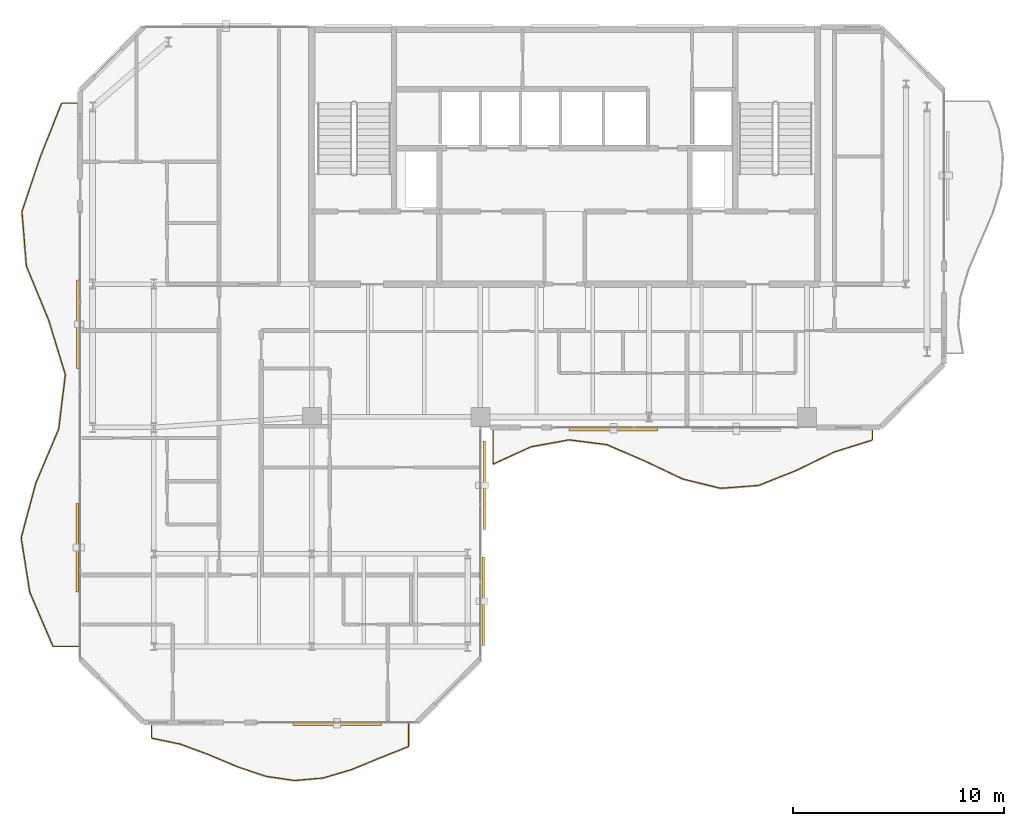
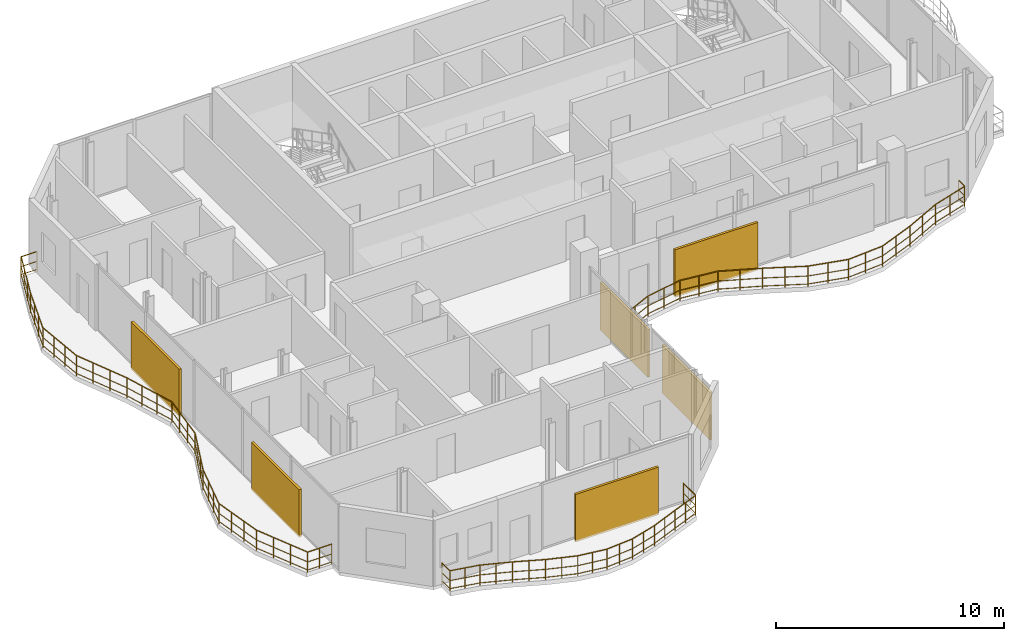
# One storey, part 21 of 22: 6 shading devices, 3 railings.
"""IFC4 building model written with IfcOpenShell, lengths in metres."""

import ifcopenshell
import ifcopenshell.guid

model = None  # the IFC model being written
_history = None  # IfcOwnerHistory: only IFC2X3 demands one
_inside = {}  # id of a spatial element -> (the spatial element, [elements in it])
_under = {}  # id of a project, library or spatial element -> (it, [spatial elements below it])
_declared = {}  # id of a project -> (the project, [libraries it declares])
_typed = {}  # id of a type object -> (the type object, [elements of that type])
_made_of = {}  # id of a material, layer set ... -> (it, [elements and type objects made of it])


def new_model(schema):
    """Start an empty IFC model of exactly this schema.

    Asked for "IFC4X3", IfcOpenShell would pick the latest addendum, in which some entities
    have other attributes; the version numbers below select the first issue.
    IFC2X3 requires an IfcOwnerHistory on every rooted entity: one is made here for all.
    """
    global model, _history
    if schema == "IFC4X3":
        model = ifcopenshell.file(schema_version=(4, 3, 0, 0))
    else:
        model = ifcopenshell.file(schema=schema)
    _inside.clear()
    _under.clear()
    _declared.clear()
    _typed.clear()
    _made_of.clear()
    _history = None
    if model.schema == "IFC2X3":
        org = make("IfcOrganization", Name="unknown")
        user = make(
            "IfcPersonAndOrganization",
            ThePerson=make("IfcPerson", FamilyName="unknown"),
            TheOrganization=org,
        )
        app = make(
            "IfcApplication",
            ApplicationDeveloper=org,
            Version="unknown",
            ApplicationFullName="unknown",
            ApplicationIdentifier="unknown",
        )
        _history = make(
            "IfcOwnerHistory",
            OwningUser=user,
            OwningApplication=app,
            ChangeAction="ADDED",
            CreationDate=0,
        )
    return model


def make(cls, **values):
    """One entity of the class cls with the attributes given. An attribute that is None is left unset."""
    return model.create_entity(
        cls, **{name: value for name, value in values.items() if value is not None}
    )


def rooted(cls, **values):
    """An entity with a GlobalId (a new one), such as an element, a storey or a relation."""
    return make(cls, GlobalId=ifcopenshell.guid.new(), OwnerHistory=_history, **values)


def si_unit(unit_type, name, prefix=None):
    """IfcSIUnit, for example si_unit("LENGTHUNIT", "METRE", prefix="MILLI")."""
    return make("IfcSIUnit", UnitType=unit_type, Prefix=prefix, Name=name)


def assignment(units):
    """IfcUnitAssignment: the units of a project."""
    return None if units is None else make("IfcUnitAssignment", Units=units)


def point(xyz):
    """IfcCartesianPoint."""
    return None if xyz is None else make("IfcCartesianPoint", Coordinates=xyz)


def direction(xyz):
    """IfcDirection."""
    return None if xyz is None else make("IfcDirection", DirectionRatios=xyz)


def frame(location, z_axis=None, x_axis=None):
    """IfcAxis2Placement3D, a coordinate frame: its origin and axes. An axis left out is left unset."""
    return make(
        "IfcAxis2Placement3D",
        Location=point(location),
        Axis=direction(z_axis),
        RefDirection=direction(x_axis),
    )


def frame_2d(location, x_axis=None):
    """IfcAxis2Placement2D, a coordinate frame in the plane: its origin and x axis."""
    return make(
        "IfcAxis2Placement2D", Location=point(location), RefDirection=direction(x_axis)
    )


def origin():
    """The frame at (0, 0, 0) with its axes left unset."""
    return frame((0.0, 0.0, 0.0))


def origin_2d():
    """The frame at (0, 0) in the plane with its x axis left unset."""
    return frame_2d((0.0, 0.0))


def place(relative_to, where):
    """IfcLocalPlacement: puts the frame where relative to a parent placement (None: the world)."""
    return make(
        "IfcLocalPlacement", PlacementRelTo=relative_to, RelativePlacement=where
    )


def context(
    kind, dimensions, precision=None, world=None, true_north=None, identifier=None
):
    """IfcGeometricRepresentationContext, for example the 3D "Model" context."""
    return make(
        "IfcGeometricRepresentationContext",
        ContextIdentifier=identifier,
        ContextType=kind,
        CoordinateSpaceDimension=dimensions,
        Precision=precision,
        WorldCoordinateSystem=world,
        TrueNorth=true_north,
    )


def subcontext(parent, identifier, kind, view, scale=None):
    """IfcGeometricRepresentationSubContext, for example "Body" below "Model"."""
    return make(
        "IfcGeometricRepresentationSubContext",
        ContextIdentifier=identifier,
        ContextType=kind,
        ParentContext=parent,
        TargetScale=scale,
        TargetView=view,
    )


def project(units=None, contexts=None):
    """IfcProject with its units and contexts."""
    return rooted(
        "IfcProject",
        Name="project",
        RepresentationContexts=contexts,
        UnitsInContext=assignment(units),
    )


def spatial(cls, under=None, at=None, **own):
    """A site, building, storey or space (cls), placed at a placement, below another one or the project."""
    s = rooted(cls, ObjectPlacement=at, **own)
    if under is not None:
        _under.setdefault(under.id(), (under, []))[1].append(s)
    return s


def profile(cls, at=None, kind="AREA", **sizes):
    """A parametric profile (cls). Its sizes go by their IFC names, for example OverallWidth=200.0."""
    return make(cls, ProfileType=kind, Position=at, **sizes)


def rectangle(**sizes):
    """IfcRectangleProfileDef."""
    return profile("IfcRectangleProfileDef", **sizes)


def circle(**sizes):
    """IfcCircleProfileDef."""
    return profile("IfcCircleProfileDef", **sizes)


def extrude(swept, where, along, depth):
    """IfcExtrudedAreaSolid: the profile swept, set in the frame where, extruded along a direction by depth."""
    return make(
        "IfcExtrudedAreaSolid",
        SweptArea=swept,
        Position=where,
        ExtrudedDirection=direction(along),
        Depth=depth,
    )


def shape(context_of_items, identifier, shape_type, items):
    """IfcShapeRepresentation: the items that make up one representation, for example the "Body"."""
    return make(
        "IfcShapeRepresentation",
        ContextOfItems=context_of_items,
        RepresentationIdentifier=identifier,
        RepresentationType=shape_type,
        Items=items,
    )


def material(Name=None, Category=None):
    """IfcMaterial."""
    return make("IfcMaterial", Name=Name, Category=Category)


def made_of(thing, what):
    """Note that an element or type object is made of a material, layer set ...; save() writes the relation."""
    if what is not None:
        _made_of.setdefault(what.id(), (what, []))[1].append(thing)
    return thing


def type_object(cls, material=None, **own):
    """A type object (cls), such as IfcWallType, which elements share."""
    return made_of(rooted(cls, **own), material)


def element(
    cls,
    number,
    at=None,
    inside=None,
    cuts=None,
    type_object=None,
    material=None,
    context=None,
    identifier="Body",
    shape_type=None,
    held_by="IfcProductDefinitionShape",
    body=None,
    shapes=None,
    **own,
):
    """One element of the class cls, such as IfcWall. Its Tag is "e" and its number.

    at: its placement. inside: the storey or other place that contains it. cuts: it is an
    opening in that element (IfcRelVoidsElement). A single representation is given by context,
    identifier, shape_type and body (its items); several are given by shapes. held_by: the class
    of the entity that holds the representations. save() writes the other relations.
    """
    e = rooted(cls, Tag="e%d" % number, ObjectPlacement=at, **own)
    if body is not None:
        shapes = [shape(context, identifier, shape_type, body)]
    if shapes is not None:
        e.Representation = make(held_by, Representations=shapes)
    if inside is not None:
        _inside.setdefault(inside.id(), (inside, []))[1].append(e)
    if cuts is not None:
        rooted(
            "IfcRelVoidsElement", RelatingBuildingElement=cuts, RelatedOpeningElement=e
        )
    if type_object is not None:
        _typed.setdefault(type_object.id(), (type_object, []))[1].append(e)
    return made_of(e, material)


def aggregate(whole, parts):
    """IfcRelAggregates: a whole, such as a stair, and the parts it consists of."""
    return rooted("IfcRelAggregates", RelatingObject=whole, RelatedObjects=parts)


def save(model, path):
    """Write the relations noted so far, then the file.

    IfcRelAggregates (storeys below a building ...), IfcRelContainedInSpatialStructure (elements
    in a storey), IfcRelDefinesByType, IfcRelAssociatesMaterial and IfcRelDeclares: one each for
    every whole, place, type object, material and project.
    """
    for whole, parts in _under.values():
        aggregate(whole, parts)
    for where, things in _inside.values():
        rooted(
            "IfcRelContainedInSpatialStructure",
            RelatedElements=things,
            RelatingStructure=where,
        )
    for kind, things in _typed.values():
        rooted("IfcRelDefinesByType", RelatedObjects=things, RelatingType=kind)
    for what, things in _made_of.values():
        rooted("IfcRelAssociatesMaterial", RelatedObjects=things, RelatingMaterial=what)
    for by, libraries in _declared.values():
        rooted("IfcRelDeclares", RelatingContext=by, RelatedDefinitions=libraries)
    model.write(path)


model = new_model("IFC4")

# Units and contexts
model_context = context("Model", 3, precision=1e-05, world=origin(), true_north=direction((0.0, 1.0)))
body_context = subcontext(model_context, "Body", "Model", "MODEL_VIEW")
ifc_project = project(units=[si_unit("LENGTHUNIT", "METRE"), si_unit("AREAUNIT", "SQUARE_METRE"), si_unit("VOLUMEUNIT", "CUBIC_METRE"), si_unit("PLANEANGLEUNIT", "RADIAN"), si_unit("MASSUNIT", "GRAM", prefix="KILO")], contexts=[model_context])

# Site, building, storey
site_placement = place(None, origin())
site = spatial("IfcSite", under=ifc_project, at=site_placement, CompositionType="ELEMENT")
building_placement = place(site_placement, origin())
building = spatial("IfcBuilding", under=site, at=building_placement, Name="Catumbela Crestline Tower", CompositionType="ELEMENT")
storey_placement = place(building_placement, frame((0.0, 0.0, 218.4)))
storey = spatial("IfcBuildingStorey", under=building, at=storey_placement, Name="L56", CompositionType="ELEMENT", Elevation=218.4)

# Railings
ifc_material_1 = material(Name="Stainless steel EN 1.4401", Category="steel")
railing_type = type_object("IfcRailingType", Name="RB-1100", PredefinedType="BALUSTRADE", material=ifc_material_1)
railing_1_placement = place(storey_placement, frame((24.6, 23.94, 0.0)))
element("IfcRailing", 1, at=railing_1_placement, inside=storey, type_object=railing_type, Name="L56 Private Wave Balcony Balustrade 1", PredefinedType="BALUSTRADE", context=body_context, shape_type="SweptSolid", body=[
    extrude(circle(Radius=0.024, at=origin_2d()), frame((0.0, 0.0, 1.076), z_axis=(0.0, -1.0, 0.0), x_axis=(1.0, 0.0, 0.0)), (0.0, 0.0, 1.0), 1.68),
    extrude(circle(Radius=0.0156, at=origin_2d()), frame((0.0, 0.0, 0.55), z_axis=(0.0, -1.0, 0.0), x_axis=(1.0, 0.0, 0.0)), (0.0, 0.0, 1.0), 1.68),
    extrude(circle(Radius=0.0156, at=origin_2d()), frame((0.0, 0.0, 0.12), z_axis=(0.0, -1.0, 0.0), x_axis=(1.0, 0.0, 0.0)), (0.0, 0.0, 1.0), 1.68),
    extrude(circle(Radius=0.024, at=origin_2d()), frame((0.0, -1.68, 1.076), z_axis=(0.909733657009, 0.415192332907, 0.0), x_axis=(-0.415192332907, 0.909733657009, 0.0)), (0.0, 0.0, 1.0), 1.9786),
    extrude(circle(Radius=0.0156, at=origin_2d()), frame((0.0, -1.68, 0.55), z_axis=(0.909733657009, 0.415192332907, 0.0), x_axis=(-0.415192332907, 0.909733657009, 0.0)), (0.0, 0.0, 1.0), 1.9786),
    extrude(circle(Radius=0.0156, at=origin_2d()), frame((0.0, -1.68, 0.12), z_axis=(0.909733657009, 0.415192332907, 0.0), x_axis=(-0.415192332907, 0.909733657009, 0.0)), (0.0, 0.0, 1.0), 1.9786),
    extrude(circle(Radius=0.024, at=origin_2d()), frame((1.8, -0.8585, 1.076), z_axis=(0.983751645667, 0.179534675334, 0.0), x_axis=(-0.179534675334, 0.983751645667, 0.0)), (0.0, 0.0, 1.0), 1.8297),
    extrude(circle(Radius=0.0156, at=origin_2d()), frame((1.8, -0.8585, 0.55), z_axis=(0.983751645667, 0.179534675334, 0.0), x_axis=(-0.179534675334, 0.983751645667, 0.0)), (0.0, 0.0, 1.0), 1.8297),
    extrude(circle(Radius=0.0156, at=origin_2d()), frame((1.8, -0.8585, 0.12), z_axis=(0.983751645667, 0.179534675334, 0.0), x_axis=(-0.179534675334, 0.983751645667, 0.0)), (0.0, 0.0, 1.0), 1.8297),
    extrude(circle(Radius=0.024, at=origin_2d()), frame((3.6, -0.53, 1.076), z_axis=(0.992250714481, -0.124251839469, 0.0), x_axis=(0.124251839469, 0.992250714481, 0.0)), (0.0, 0.0, 1.0), 1.8141),
    extrude(circle(Radius=0.0156, at=origin_2d()), frame((3.6, -0.53, 0.55), z_axis=(0.992250714481, -0.124251839469, 0.0), x_axis=(0.124251839469, 0.992250714481, 0.0)), (0.0, 0.0, 1.0), 1.8141),
    extrude(circle(Radius=0.0156, at=origin_2d()), frame((3.6, -0.53, 0.12), z_axis=(0.992250714481, -0.124251839469, 0.0), x_axis=(0.124251839469, 0.992250714481, 0.0)), (0.0, 0.0, 1.0), 1.8141),
    extrude(circle(Radius=0.024, at=origin_2d()), frame((5.4, -0.7554, 1.076), z_axis=(0.91863214227, -0.395113891414, 0.0), x_axis=(0.395113891414, 0.91863214227, 0.0)), (0.0, 0.0, 1.0), 1.9594),
    extrude(circle(Radius=0.0156, at=origin_2d()), frame((5.4, -0.7554, 0.55), z_axis=(0.91863214227, -0.395113891414, 0.0), x_axis=(0.395113891414, 0.91863214227, 0.0)), (0.0, 0.0, 1.0), 1.9594),
    extrude(circle(Radius=0.0156, at=origin_2d()), frame((5.4, -0.7554, 0.12), z_axis=(0.91863214227, -0.395113891414, 0.0), x_axis=(0.395113891414, 0.91863214227, 0.0)), (0.0, 0.0, 1.0), 1.9594),
    extrude(circle(Radius=0.024, at=origin_2d()), frame((7.2, -1.5296, 1.076), z_axis=(0.903141340366, -0.429343358306, 0.0), x_axis=(0.429343358306, 0.903141340366, 0.0)), (0.0, 0.0, 1.0), 1.993),
    extrude(circle(Radius=0.0156, at=origin_2d()), frame((7.2, -1.5296, 0.55), z_axis=(0.903141340366, -0.429343358306, 0.0), x_axis=(0.429343358306, 0.903141340366, 0.0)), (0.0, 0.0, 1.0), 1.993),
    extrude(circle(Radius=0.0156, at=origin_2d()), frame((7.2, -1.5296, 0.12), z_axis=(0.903141340366, -0.429343358306, 0.0), x_axis=(0.429343358306, 0.903141340366, 0.0)), (0.0, 0.0, 1.0), 1.993),
    extrude(circle(Radius=0.024, at=origin_2d()), frame((9.0, -2.3853, 1.076), z_axis=(0.97081135802, -0.239844339395, 0.0), x_axis=(0.239844339395, 0.97081135802, 0.0)), (0.0, 0.0, 1.0), 1.8541),
    extrude(circle(Radius=0.0156, at=origin_2d()), frame((9.0, -2.3853, 0.55), z_axis=(0.97081135802, -0.239844339395, 0.0), x_axis=(0.239844339395, 0.97081135802, 0.0)), (0.0, 0.0, 1.0), 1.8541),
    extrude(circle(Radius=0.0156, at=origin_2d()), frame((9.0, -2.3853, 0.12), z_axis=(0.97081135802, -0.239844339395, 0.0), x_axis=(0.239844339395, 0.97081135802, 0.0)), (0.0, 0.0, 1.0), 1.8541),
    extrude(circle(Radius=0.024, at=origin_2d()), frame((10.8, -2.83, 1.076), z_axis=(0.9971244509, 0.075781458268, 0.0), x_axis=(-0.075781458268, 0.9971244509, 0.0)), (0.0, 0.0, 1.0), 1.8052),
    extrude(circle(Radius=0.0156, at=origin_2d()), frame((10.8, -2.83, 0.55), z_axis=(0.9971244509, 0.075781458268, 0.0), x_axis=(-0.075781458268, 0.9971244509, 0.0)), (0.0, 0.0, 1.0), 1.8052),
    extrude(circle(Radius=0.0156, at=origin_2d()), frame((10.8, -2.83, 0.12), z_axis=(0.9971244509, 0.075781458268, 0.0), x_axis=(-0.075781458268, 0.9971244509, 0.0)), (0.0, 0.0, 1.0), 1.8052),
    extrude(circle(Radius=0.024, at=origin_2d()), frame((12.6, -2.6932, 1.076), z_axis=(0.929399644581, 0.369074925526, 0.0), x_axis=(-0.369074925526, 0.929399644581, 0.0)), (0.0, 0.0, 1.0), 1.9367),
    extrude(circle(Radius=0.0156, at=origin_2d()), frame((12.6, -2.6932, 0.55), z_axis=(0.929399644581, 0.369074925526, 0.0), x_axis=(-0.369074925526, 0.929399644581, 0.0)), (0.0, 0.0, 1.0), 1.9367),
    extrude(circle(Radius=0.0156, at=origin_2d()), frame((12.6, -2.6932, 0.12), z_axis=(0.929399644581, 0.369074925526, 0.0), x_axis=(-0.369074925526, 0.929399644581, 0.0)), (0.0, 0.0, 1.0), 1.9367),
    extrude(circle(Radius=0.024, at=origin_2d()), frame((14.4, -1.9784, 1.076), z_axis=(0.899073055886, 0.437798629714, 0.0), x_axis=(-0.437798629714, 0.899073055886, 0.0)), (0.0, 0.0, 1.0), 2.0021),
    extrude(circle(Radius=0.0156, at=origin_2d()), frame((14.4, -1.9784, 0.55), z_axis=(0.899073055886, 0.437798629714, 0.0), x_axis=(-0.437798629714, 0.899073055886, 0.0)), (0.0, 0.0, 1.0), 2.0021),
    extrude(circle(Radius=0.0156, at=origin_2d()), frame((14.4, -1.9784, 0.12), z_axis=(0.899073055886, 0.437798629714, 0.0), x_axis=(-0.437798629714, 0.899073055886, 0.0)), (0.0, 0.0, 1.0), 2.0021),
    extrude(circle(Radius=0.024, at=origin_2d()), frame((16.2, -1.1019, 1.076), z_axis=(0.954374253933, 0.298613099897, 0.0), x_axis=(-0.298613099897, 0.954374253933, 0.0)), (0.0, 0.0, 1.0), 1.8861),
    extrude(circle(Radius=0.0156, at=origin_2d()), frame((16.2, -1.1019, 0.55), z_axis=(0.954374253933, 0.298613099897, 0.0), x_axis=(-0.298613099897, 0.954374253933, 0.0)), (0.0, 0.0, 1.0), 1.8861),
    extrude(circle(Radius=0.0156, at=origin_2d()), frame((16.2, -1.1019, 0.12), z_axis=(0.954374253933, 0.298613099897, 0.0), x_axis=(-0.298613099897, 0.954374253933, 0.0)), (0.0, 0.0, 1.0), 1.8861),
    extrude(circle(Radius=0.024, at=origin_2d()), frame((18.0, -0.5387, 1.076), z_axis=(0.0, 1.0, 0.0), x_axis=(-1.0, 0.0, 0.0)), (0.0, 0.0, 1.0), 0.5387),
    extrude(circle(Radius=0.0156, at=origin_2d()), frame((18.0, -0.5387, 0.55), z_axis=(0.0, 1.0, 0.0), x_axis=(-1.0, 0.0, 0.0)), (0.0, 0.0, 1.0), 0.5387),
    extrude(circle(Radius=0.0156, at=origin_2d()), frame((18.0, -0.5387, 0.12), z_axis=(0.0, 1.0, 0.0), x_axis=(-1.0, 0.0, 0.0)), (0.0, 0.0, 1.0), 0.5387),
    extrude(circle(Radius=0.021, at=origin_2d()), origin(), (0.0, 0.0, 1.0), 1.052),
    extrude(circle(Radius=0.021, at=origin_2d()), frame((0.0, -0.84, 0.0)), (0.0, 0.0, 1.0), 1.052),
    extrude(circle(Radius=0.021, at=origin_2d()), frame((0.0, -1.68, 0.0)), (0.0, 0.0, 1.0), 1.052),
    extrude(circle(Radius=0.021, at=origin_2d()), frame((0.9, -1.2693, 0.0)), (0.0, 0.0, 1.0), 1.052),
    extrude(circle(Radius=0.021, at=origin_2d()), frame((1.8, -0.8585, 0.0)), (0.0, 0.0, 1.0), 1.052),
    extrude(circle(Radius=0.021, at=origin_2d()), frame((2.7, -0.6943, 0.0)), (0.0, 0.0, 1.0), 1.052),
    extrude(circle(Radius=0.021, at=origin_2d()), frame((3.6, -0.53, 0.0)), (0.0, 0.0, 1.0), 1.052),
    extrude(circle(Radius=0.021, at=origin_2d()), frame((4.5, -0.6427, 0.0)), (0.0, 0.0, 1.0), 1.052),
    extrude(circle(Radius=0.021, at=origin_2d()), frame((5.4, -0.7554, 0.0)), (0.0, 0.0, 1.0), 1.052),
    extrude(circle(Radius=0.021, at=origin_2d()), frame((6.3, -1.1425, 0.0)), (0.0, 0.0, 1.0), 1.052),
    extrude(circle(Radius=0.021, at=origin_2d()), frame((7.2, -1.5296, 0.0)), (0.0, 0.0, 1.0), 1.052),
    extrude(circle(Radius=0.021, at=origin_2d()), frame((8.1, -1.9575, 0.0)), (0.0, 0.0, 1.0), 1.052),
    extrude(circle(Radius=0.021, at=origin_2d()), frame((9.0, -2.3853, 0.0)), (0.0, 0.0, 1.0), 1.052),
    extrude(circle(Radius=0.021, at=origin_2d()), frame((9.9, -2.6077, 0.0)), (0.0, 0.0, 1.0), 1.052),
    extrude(circle(Radius=0.021, at=origin_2d()), frame((10.8, -2.83, 0.0)), (0.0, 0.0, 1.0), 1.052),
    extrude(circle(Radius=0.021, at=origin_2d()), frame((11.7, -2.7616, 0.0)), (0.0, 0.0, 1.0), 1.052),
    extrude(circle(Radius=0.021, at=origin_2d()), frame((12.6, -2.6932, 0.0)), (0.0, 0.0, 1.0), 1.052),
    extrude(circle(Radius=0.021, at=origin_2d()), frame((13.5, -2.3358, 0.0)), (0.0, 0.0, 1.0), 1.052),
    extrude(circle(Radius=0.021, at=origin_2d()), frame((14.4, -1.9784, 0.0)), (0.0, 0.0, 1.0), 1.052),
    extrude(circle(Radius=0.021, at=origin_2d()), frame((15.3, -1.5402, 0.0)), (0.0, 0.0, 1.0), 1.052),
    extrude(circle(Radius=0.021, at=origin_2d()), frame((16.2, -1.1019, 0.0)), (0.0, 0.0, 1.0), 1.052),
    extrude(circle(Radius=0.021, at=origin_2d()), frame((17.1, -0.8203, 0.0)), (0.0, 0.0, 1.0), 1.052),
    extrude(circle(Radius=0.021, at=origin_2d()), frame((18.0, -0.5387, 0.0)), (0.0, 0.0, 1.0), 1.052),
    extrude(circle(Radius=0.021, at=origin_2d()), frame((18.0, 0.0, 0.0)), (0.0, 0.0, 1.0), 1.052),
])
railing_2_placement = place(storey_placement, frame((8.4, 9.94, 0.0)))
element("IfcRailing", 2, at=railing_2_placement, inside=storey, type_object=railing_type, Name="L56 Private Wave Balcony Balustrade 3", PredefinedType="BALUSTRADE", context=body_context, shape_type="SweptSolid", body=[
    extrude(circle(Radius=0.024, at=origin_2d()), frame((0.0, 0.0, 1.076), z_axis=(0.0, -1.0, 0.0), x_axis=(1.0, 0.0, 0.0)), (0.0, 0.0, 1.0), 0.6867),
    extrude(circle(Radius=0.0156, at=origin_2d()), frame((0.0, 0.0, 0.55), z_axis=(0.0, -1.0, 0.0), x_axis=(1.0, 0.0, 0.0)), (0.0, 0.0, 1.0), 0.6867),
    extrude(circle(Radius=0.0156, at=origin_2d()), frame((0.0, 0.0, 0.12), z_axis=(0.0, -1.0, 0.0), x_axis=(1.0, 0.0, 0.0)), (0.0, 0.0, 1.0), 0.6867),
    extrude(circle(Radius=0.024, at=origin_2d()), frame((0.0, -0.6867, 1.076), z_axis=(0.979255971332, -0.20262710236, 0.0), x_axis=(0.20262710236, 0.979255971332, 0.0)), (0.0, 0.0, 1.0), 1.3843),
    extrude(circle(Radius=0.0156, at=origin_2d()), frame((0.0, -0.6867, 0.55), z_axis=(0.979255971332, -0.20262710236, 0.0), x_axis=(0.20262710236, 0.979255971332, 0.0)), (0.0, 0.0, 1.0), 1.3843),
    extrude(circle(Radius=0.0156, at=origin_2d()), frame((0.0, -0.6867, 0.12), z_axis=(0.979255971332, -0.20262710236, 0.0), x_axis=(0.20262710236, 0.979255971332, 0.0)), (0.0, 0.0, 1.0), 1.3843),
    extrude(circle(Radius=0.024, at=origin_2d()), frame((1.3556, -0.9672, 1.076), z_axis=(0.93726073725, -0.348629187548, 0.0), x_axis=(0.348629187548, 0.93726073725, 0.0)), (0.0, 0.0, 1.0), 1.4462),
    extrude(circle(Radius=0.0156, at=origin_2d()), frame((1.3556, -0.9672, 0.55), z_axis=(0.93726073725, -0.348629187548, 0.0), x_axis=(0.348629187548, 0.93726073725, 0.0)), (0.0, 0.0, 1.0), 1.4462),
    extrude(circle(Radius=0.0156, at=origin_2d()), frame((1.3556, -0.9672, 0.12), z_axis=(0.93726073725, -0.348629187548, 0.0), x_axis=(0.348629187548, 0.93726073725, 0.0)), (0.0, 0.0, 1.0), 1.4462),
    extrude(circle(Radius=0.024, at=origin_2d()), frame((2.7111, -1.4714, 1.076), z_axis=(0.921897589899, -0.387433650756, 0.0), x_axis=(0.387433650756, 0.921897589899, 0.0)), (0.0, 0.0, 1.0), 1.4704),
    extrude(circle(Radius=0.0156, at=origin_2d()), frame((2.7111, -1.4714, 0.55), z_axis=(0.921897589899, -0.387433650756, 0.0), x_axis=(0.387433650756, 0.921897589899, 0.0)), (0.0, 0.0, 1.0), 1.4704),
    extrude(circle(Radius=0.0156, at=origin_2d()), frame((2.7111, -1.4714, 0.12), z_axis=(0.921897589899, -0.387433650756, 0.0), x_axis=(0.387433650756, 0.921897589899, 0.0)), (0.0, 0.0, 1.0), 1.4704),
    extrude(circle(Radius=0.024, at=origin_2d()), frame((4.0667, -2.0411, 1.076), z_axis=(0.947742229417, -0.319037092795, 0.0), x_axis=(0.319037092795, 0.947742229417, 0.0)), (0.0, 0.0, 1.0), 1.4302),
    extrude(circle(Radius=0.0156, at=origin_2d()), frame((4.0667, -2.0411, 0.55), z_axis=(0.947742229417, -0.319037092795, 0.0), x_axis=(0.319037092795, 0.947742229417, 0.0)), (0.0, 0.0, 1.0), 1.4302),
    extrude(circle(Radius=0.0156, at=origin_2d()), frame((4.0667, -2.0411, 0.12), z_axis=(0.947742229417, -0.319037092795, 0.0), x_axis=(0.319037092795, 0.947742229417, 0.0)), (0.0, 0.0, 1.0), 1.4302),
    extrude(circle(Radius=0.024, at=origin_2d()), frame((5.4222, -2.4974, 1.076), z_axis=(0.989301589642, -0.145884765247, 0.0), x_axis=(0.145884765247, 0.989301589642, 0.0)), (0.0, 0.0, 1.0), 1.3703),
    extrude(circle(Radius=0.0156, at=origin_2d()), frame((5.4222, -2.4974, 0.55), z_axis=(0.989301589642, -0.145884765247, 0.0), x_axis=(0.145884765247, 0.989301589642, 0.0)), (0.0, 0.0, 1.0), 1.3703),
    extrude(circle(Radius=0.0156, at=origin_2d()), frame((5.4222, -2.4974, 0.12), z_axis=(0.989301589642, -0.145884765247, 0.0), x_axis=(0.145884765247, 0.989301589642, 0.0)), (0.0, 0.0, 1.0), 1.3703),
    extrude(circle(Radius=0.024, at=origin_2d()), frame((6.7778, -2.6973, 1.076), z_axis=(0.996136470623, 0.087818744551, 0.0), x_axis=(-0.087818744551, 0.996136470623, 0.0)), (0.0, 0.0, 1.0), 1.3608),
    extrude(circle(Radius=0.0156, at=origin_2d()), frame((6.7778, -2.6973, 0.55), z_axis=(0.996136470623, 0.087818744551, 0.0), x_axis=(-0.087818744551, 0.996136470623, 0.0)), (0.0, 0.0, 1.0), 1.3608),
    extrude(circle(Radius=0.0156, at=origin_2d()), frame((6.7778, -2.6973, 0.12), z_axis=(0.996136470623, 0.087818744551, 0.0), x_axis=(-0.087818744551, 0.996136470623, 0.0)), (0.0, 0.0, 1.0), 1.3608),
    extrude(circle(Radius=0.024, at=origin_2d()), frame((8.1333, -2.5778, 1.076), z_axis=(0.958886552116, 0.283789675943, 0.0), x_axis=(-0.283789675943, 0.958886552116, 0.0)), (0.0, 0.0, 1.0), 1.4137),
    extrude(circle(Radius=0.0156, at=origin_2d()), frame((8.1333, -2.5778, 0.55), z_axis=(0.958886552116, 0.283789675943, 0.0), x_axis=(-0.283789675943, 0.958886552116, 0.0)), (0.0, 0.0, 1.0), 1.4137),
    extrude(circle(Radius=0.0156, at=origin_2d()), frame((8.1333, -2.5778, 0.12), z_axis=(0.958886552116, 0.283789675943, 0.0), x_axis=(-0.283789675943, 0.958886552116, 0.0)), (0.0, 0.0, 1.0), 1.4137),
    extrude(circle(Radius=0.024, at=origin_2d()), frame((9.4889, -2.1766, 1.076), z_axis=(0.924929438633, 0.380138834572, 0.0), x_axis=(-0.380138834572, 0.924929438633, 0.0)), (0.0, 0.0, 1.0), 1.4655),
    extrude(circle(Radius=0.0156, at=origin_2d()), frame((9.4889, -2.1766, 0.55), z_axis=(0.924929438633, 0.380138834572, 0.0), x_axis=(-0.380138834572, 0.924929438633, 0.0)), (0.0, 0.0, 1.0), 1.4655),
    extrude(circle(Radius=0.0156, at=origin_2d()), frame((9.4889, -2.1766, 0.12), z_axis=(0.924929438633, 0.380138834572, 0.0), x_axis=(-0.380138834572, 0.924929438633, 0.0)), (0.0, 0.0, 1.0), 1.4655),
    extrude(circle(Radius=0.024, at=origin_2d()), frame((10.8444, -1.6195, 1.076), z_axis=(0.929452275116, 0.368942364444, 0.0), x_axis=(-0.368942364444, 0.929452275116, 0.0)), (0.0, 0.0, 1.0), 1.4585),
    extrude(circle(Radius=0.0156, at=origin_2d()), frame((10.8444, -1.6195, 0.55), z_axis=(0.929452275116, 0.368942364444, 0.0), x_axis=(-0.368942364444, 0.929452275116, 0.0)), (0.0, 0.0, 1.0), 1.4585),
    extrude(circle(Radius=0.0156, at=origin_2d()), frame((10.8444, -1.6195, 0.12), z_axis=(0.929452275116, 0.368942364444, 0.0), x_axis=(-0.368942364444, 0.929452275116, 0.0)), (0.0, 0.0, 1.0), 1.4585),
    extrude(circle(Radius=0.024, at=origin_2d()), frame((12.2, -1.0814, 1.076), z_axis=(0.0, 1.0, 0.0), x_axis=(-1.0, 0.0, 0.0)), (0.0, 0.0, 1.0), 1.0814),
    extrude(circle(Radius=0.0156, at=origin_2d()), frame((12.2, -1.0814, 0.55), z_axis=(0.0, 1.0, 0.0), x_axis=(-1.0, 0.0, 0.0)), (0.0, 0.0, 1.0), 1.0814),
    extrude(circle(Radius=0.0156, at=origin_2d()), frame((12.2, -1.0814, 0.12), z_axis=(0.0, 1.0, 0.0), x_axis=(-1.0, 0.0, 0.0)), (0.0, 0.0, 1.0), 1.0814),
    extrude(circle(Radius=0.021, at=origin_2d()), origin(), (0.0, 0.0, 1.0), 1.052),
    extrude(circle(Radius=0.021, at=origin_2d()), frame((0.0, -0.6867, 0.0)), (0.0, 0.0, 1.0), 1.052),
    extrude(circle(Radius=0.021, at=origin_2d()), frame((0.6778, -0.827, 0.0)), (0.0, 0.0, 1.0), 1.052),
    extrude(circle(Radius=0.021, at=origin_2d()), frame((1.3556, -0.9672, 0.0)), (0.0, 0.0, 1.0), 1.052),
    extrude(circle(Radius=0.021, at=origin_2d()), frame((2.0333, -1.2193, 0.0)), (0.0, 0.0, 1.0), 1.052),
    extrude(circle(Radius=0.021, at=origin_2d()), frame((2.7111, -1.4714, 0.0)), (0.0, 0.0, 1.0), 1.052),
    extrude(circle(Radius=0.021, at=origin_2d()), frame((3.3889, -1.7562, 0.0)), (0.0, 0.0, 1.0), 1.052),
    extrude(circle(Radius=0.021, at=origin_2d()), frame((4.0667, -2.0411, 0.0)), (0.0, 0.0, 1.0), 1.052),
    extrude(circle(Radius=0.021, at=origin_2d()), frame((4.7444, -2.2692, 0.0)), (0.0, 0.0, 1.0), 1.052),
    extrude(circle(Radius=0.021, at=origin_2d()), frame((5.4222, -2.4974, 0.0)), (0.0, 0.0, 1.0), 1.052),
    extrude(circle(Radius=0.021, at=origin_2d()), frame((6.1, -2.5973, 0.0)), (0.0, 0.0, 1.0), 1.052),
    extrude(circle(Radius=0.021, at=origin_2d()), frame((6.7778, -2.6973, 0.0)), (0.0, 0.0, 1.0), 1.052),
    extrude(circle(Radius=0.021, at=origin_2d()), frame((7.4556, -2.6375, 0.0)), (0.0, 0.0, 1.0), 1.052),
    extrude(circle(Radius=0.021, at=origin_2d()), frame((8.1333, -2.5778, 0.0)), (0.0, 0.0, 1.0), 1.052),
    extrude(circle(Radius=0.021, at=origin_2d()), frame((8.8111, -2.3772, 0.0)), (0.0, 0.0, 1.0), 1.052),
    extrude(circle(Radius=0.021, at=origin_2d()), frame((9.4889, -2.1766, 0.0)), (0.0, 0.0, 1.0), 1.052),
    extrude(circle(Radius=0.021, at=origin_2d()), frame((10.1666, -1.898, 0.0)), (0.0, 0.0, 1.0), 1.052),
    extrude(circle(Radius=0.021, at=origin_2d()), frame((10.8444, -1.6195, 0.0)), (0.0, 0.0, 1.0), 1.052),
    extrude(circle(Radius=0.021, at=origin_2d()), frame((11.5222, -1.3505, 0.0)), (0.0, 0.0, 1.0), 1.052),
    extrude(circle(Radius=0.021, at=origin_2d()), frame((12.2, -1.0814, 0.0)), (0.0, 0.0, 1.0), 1.052),
    extrude(circle(Radius=0.021, at=origin_2d()), frame((12.2, 0.0, 0.0)), (0.0, 0.0, 1.0), 1.052),
])
railing_3_placement = place(storey_placement, frame((4.94, 39.4, 0.0)))
element("IfcRailing", 3, at=railing_3_placement, inside=storey, type_object=railing_type, Name="L56 Private Wave Balcony Balustrade 4", PredefinedType="BALUSTRADE", context=body_context, shape_type="SweptSolid", body=[
    extrude(circle(Radius=0.024, at=origin_2d()), frame((0.0, 0.0, 1.076), z_axis=(-1.0, 0.0, 0.0), x_axis=(0.0, -1.0, 0.0)), (0.0, 0.0, 1.0), 0.8074),
    extrude(circle(Radius=0.0156, at=origin_2d()), frame((0.0, 0.0, 0.55), z_axis=(-1.0, 0.0, 0.0), x_axis=(0.0, -1.0, 0.0)), (0.0, 0.0, 1.0), 0.8074),
    extrude(circle(Radius=0.0156, at=origin_2d()), frame((0.0, 0.0, 0.12), z_axis=(-1.0, 0.0, 0.0), x_axis=(0.0, -1.0, 0.0)), (0.0, 0.0, 1.0), 0.8074),
    extrude(circle(Radius=0.024, at=origin_2d()), frame((-0.8074, 0.0, 1.076), z_axis=(-0.368686912688, -0.929553635038, 0.0), x_axis=(0.929553635038, -0.368686912688, 0.0)), (0.0, 0.0, 1.0), 2.7755),
    extrude(circle(Radius=0.0156, at=origin_2d()), frame((-0.8074, 0.0, 0.55), z_axis=(-0.368686912688, -0.929553635038, 0.0), x_axis=(0.929553635038, -0.368686912688, 0.0)), (0.0, 0.0, 1.0), 2.7755),
    extrude(circle(Radius=0.0156, at=origin_2d()), frame((-0.8074, 0.0, 0.12), z_axis=(-0.368686912688, -0.929553635038, 0.0), x_axis=(0.929553635038, -0.368686912688, 0.0)), (0.0, 0.0, 1.0), 2.7755),
    extrude(circle(Radius=0.024, at=origin_2d()), frame((-1.8307, -2.58, 1.076), z_axis=(-0.317484488838, -0.948263465155, 0.0), x_axis=(0.948263465155, -0.317484488838, 0.0)), (0.0, 0.0, 1.0), 2.7208),
    extrude(circle(Radius=0.0156, at=origin_2d()), frame((-1.8307, -2.58, 0.55), z_axis=(-0.317484488838, -0.948263465155, 0.0), x_axis=(0.948263465155, -0.317484488838, 0.0)), (0.0, 0.0, 1.0), 2.7208),
    extrude(circle(Radius=0.0156, at=origin_2d()), frame((-1.8307, -2.58, 0.12), z_axis=(-0.317484488838, -0.948263465155, 0.0), x_axis=(0.948263465155, -0.317484488838, 0.0)), (0.0, 0.0, 1.0), 2.7208),
    extrude(circle(Radius=0.024, at=origin_2d()), frame((-2.6945, -5.16, 1.076), z_axis=(0.081203805519, -0.99669751779, 0.0), x_axis=(0.99669751779, 0.081203805519, 0.0)), (0.0, 0.0, 1.0), 2.5885),
    extrude(circle(Radius=0.0156, at=origin_2d()), frame((-2.6945, -5.16, 0.55), z_axis=(0.081203805519, -0.99669751779, 0.0), x_axis=(0.99669751779, 0.081203805519, 0.0)), (0.0, 0.0, 1.0), 2.5885),
    extrude(circle(Radius=0.0156, at=origin_2d()), frame((-2.6945, -5.16, 0.12), z_axis=(0.081203805519, -0.99669751779, 0.0), x_axis=(0.99669751779, 0.081203805519, 0.0)), (0.0, 0.0, 1.0), 2.5885),
    extrude(circle(Radius=0.024, at=origin_2d()), frame((-2.4843, -7.74, 1.076), z_axis=(0.380519034919, -0.924773087878, 0.0), x_axis=(0.924773087878, 0.380519034919, 0.0)), (0.0, 0.0, 1.0), 2.7899),
    extrude(circle(Radius=0.0156, at=origin_2d()), frame((-2.4843, -7.74, 0.55), z_axis=(0.380519034919, -0.924773087878, 0.0), x_axis=(0.924773087878, 0.380519034919, 0.0)), (0.0, 0.0, 1.0), 2.7899),
    extrude(circle(Radius=0.0156, at=origin_2d()), frame((-2.4843, -7.74, 0.12), z_axis=(0.380519034919, -0.924773087878, 0.0), x_axis=(0.924773087878, 0.380519034919, 0.0)), (0.0, 0.0, 1.0), 2.7899),
    extrude(circle(Radius=0.024, at=origin_2d()), frame((-1.4227, -10.32, 1.076), z_axis=(0.292512316759, -0.956261755245, 0.0), x_axis=(0.956261755245, 0.292512316759, 0.0)), (0.0, 0.0, 1.0), 2.698),
    extrude(circle(Radius=0.0156, at=origin_2d()), frame((-1.4227, -10.32, 0.55), z_axis=(0.292512316759, -0.956261755245, 0.0), x_axis=(0.956261755245, 0.292512316759, 0.0)), (0.0, 0.0, 1.0), 2.698),
    extrude(circle(Radius=0.0156, at=origin_2d()), frame((-1.4227, -10.32, 0.12), z_axis=(0.292512316759, -0.956261755245, 0.0), x_axis=(0.956261755245, 0.292512316759, 0.0)), (0.0, 0.0, 1.0), 2.698),
    extrude(circle(Radius=0.024, at=origin_2d()), frame((-0.6335, -12.9, 1.076), z_axis=(-0.122557445271, -0.992461421219, 0.0), x_axis=(0.992461421219, -0.122557445271, 0.0)), (0.0, 0.0, 1.0), 2.5996),
    extrude(circle(Radius=0.0156, at=origin_2d()), frame((-0.6335, -12.9, 0.55), z_axis=(-0.122557445271, -0.992461421219, 0.0), x_axis=(0.992461421219, -0.122557445271, 0.0)), (0.0, 0.0, 1.0), 2.5996),
    extrude(circle(Radius=0.0156, at=origin_2d()), frame((-0.6335, -12.9, 0.12), z_axis=(-0.122557445271, -0.992461421219, 0.0), x_axis=(0.992461421219, -0.122557445271, 0.0)), (0.0, 0.0, 1.0), 2.5996),
    extrude(circle(Radius=0.024, at=origin_2d()), frame((-0.9521, -15.48, 1.076), z_axis=(-0.38890132228, -0.921279415557, 0.0), x_axis=(0.921279415557, -0.38890132228, 0.0)), (0.0, 0.0, 1.0), 2.8005),
    extrude(circle(Radius=0.0156, at=origin_2d()), frame((-0.9521, -15.48, 0.55), z_axis=(-0.38890132228, -0.921279415557, 0.0), x_axis=(0.921279415557, -0.38890132228, 0.0)), (0.0, 0.0, 1.0), 2.8005),
    extrude(circle(Radius=0.0156, at=origin_2d()), frame((-0.9521, -15.48, 0.12), z_axis=(-0.38890132228, -0.921279415557, 0.0), x_axis=(0.921279415557, -0.38890132228, 0.0)), (0.0, 0.0, 1.0), 2.8005),
    extrude(circle(Radius=0.024, at=origin_2d()), frame((-2.0412, -18.06, 1.076), z_axis=(-0.257942334925, -0.966160313744, 0.0), x_axis=(0.966160313744, -0.257942334925, 0.0)), (0.0, 0.0, 1.0), 2.6704),
    extrude(circle(Radius=0.0156, at=origin_2d()), frame((-2.0412, -18.06, 0.55), z_axis=(-0.257942334925, -0.966160313744, 0.0), x_axis=(0.966160313744, -0.257942334925, 0.0)), (0.0, 0.0, 1.0), 2.6704),
    extrude(circle(Radius=0.0156, at=origin_2d()), frame((-2.0412, -18.06, 0.12), z_axis=(-0.257942334925, -0.966160313744, 0.0), x_axis=(0.966160313744, -0.257942334925, 0.0)), (0.0, 0.0, 1.0), 2.6704),
    extrude(circle(Radius=0.024, at=origin_2d()), frame((-2.73, -20.64, 1.076), z_axis=(0.15537662138, -0.987855305968, 0.0), x_axis=(0.987855305968, 0.15537662138, 0.0)), (0.0, 0.0, 1.0), 2.6117),
    extrude(circle(Radius=0.0156, at=origin_2d()), frame((-2.73, -20.64, 0.55), z_axis=(0.15537662138, -0.987855305968, 0.0), x_axis=(0.987855305968, 0.15537662138, 0.0)), (0.0, 0.0, 1.0), 2.6117),
    extrude(circle(Radius=0.0156, at=origin_2d()), frame((-2.73, -20.64, 0.12), z_axis=(0.15537662138, -0.987855305968, 0.0), x_axis=(0.987855305968, 0.15537662138, 0.0)), (0.0, 0.0, 1.0), 2.6117),
    extrude(circle(Radius=0.024, at=origin_2d()), frame((-2.3242, -23.22, 1.076), z_axis=(0.39394509609, -0.919133973514, 0.0), x_axis=(0.919133973514, 0.39394509609, 0.0)), (0.0, 0.0, 1.0), 2.807),
    extrude(circle(Radius=0.0156, at=origin_2d()), frame((-2.3242, -23.22, 0.55), z_axis=(0.39394509609, -0.919133973514, 0.0), x_axis=(0.919133973514, 0.39394509609, 0.0)), (0.0, 0.0, 1.0), 2.807),
    extrude(circle(Radius=0.0156, at=origin_2d()), frame((-2.3242, -23.22, 0.12), z_axis=(0.39394509609, -0.919133973514, 0.0), x_axis=(0.919133973514, 0.39394509609, 0.0)), (0.0, 0.0, 1.0), 2.807),
    extrude(circle(Radius=0.024, at=origin_2d()), frame((-1.2184, -25.8, 1.076), z_axis=(1.0, 0.0, 0.0), x_axis=(0.0, 1.0, 0.0)), (0.0, 0.0, 1.0), 1.2184),
    extrude(circle(Radius=0.0156, at=origin_2d()), frame((-1.2184, -25.8, 0.55), z_axis=(1.0, 0.0, 0.0), x_axis=(0.0, 1.0, 0.0)), (0.0, 0.0, 1.0), 1.2184),
    extrude(circle(Radius=0.0156, at=origin_2d()), frame((-1.2184, -25.8, 0.12), z_axis=(1.0, 0.0, 0.0), x_axis=(0.0, 1.0, 0.0)), (0.0, 0.0, 1.0), 1.2184),
    extrude(circle(Radius=0.021, at=origin_2d()), origin(), (0.0, 0.0, 1.0), 1.052),
    extrude(circle(Radius=0.021, at=origin_2d()), frame((-0.8074, 0.0, 0.0)), (0.0, 0.0, 1.0), 1.052),
    extrude(circle(Radius=0.021, at=origin_2d()), frame((-1.1485, -0.86, 0.0)), (0.0, 0.0, 1.0), 1.052),
    extrude(circle(Radius=0.021, at=origin_2d()), frame((-1.4896, -1.72, 0.0)), (0.0, 0.0, 1.0), 1.052),
    extrude(circle(Radius=0.021, at=origin_2d()), frame((-1.8307, -2.58, 0.0)), (0.0, 0.0, 1.0), 1.052),
    extrude(circle(Radius=0.021, at=origin_2d()), frame((-2.1186, -3.44, 0.0)), (0.0, 0.0, 1.0), 1.052),
    extrude(circle(Radius=0.021, at=origin_2d()), frame((-2.4066, -4.3, 0.0)), (0.0, 0.0, 1.0), 1.052),
    extrude(circle(Radius=0.021, at=origin_2d()), frame((-2.6945, -5.16, 0.0)), (0.0, 0.0, 1.0), 1.052),
    extrude(circle(Radius=0.021, at=origin_2d()), frame((-2.6244, -6.02, 0.0)), (0.0, 0.0, 1.0), 1.052),
    extrude(circle(Radius=0.021, at=origin_2d()), frame((-2.5544, -6.88, 0.0)), (0.0, 0.0, 1.0), 1.052),
    extrude(circle(Radius=0.021, at=origin_2d()), frame((-2.4843, -7.74, 0.0)), (0.0, 0.0, 1.0), 1.052),
    extrude(circle(Radius=0.021, at=origin_2d()), frame((-2.1304, -8.6, 0.0)), (0.0, 0.0, 1.0), 1.052),
    extrude(circle(Radius=0.021, at=origin_2d()), frame((-1.7766, -9.46, 0.0)), (0.0, 0.0, 1.0), 1.052),
    extrude(circle(Radius=0.021, at=origin_2d()), frame((-1.4227, -10.32, 0.0)), (0.0, 0.0, 1.0), 1.052),
    extrude(circle(Radius=0.021, at=origin_2d()), frame((-1.1596, -11.18, 0.0)), (0.0, 0.0, 1.0), 1.052),
    extrude(circle(Radius=0.021, at=origin_2d()), frame((-0.8966, -12.04, 0.0)), (0.0, 0.0, 1.0), 1.052),
    extrude(circle(Radius=0.021, at=origin_2d()), frame((-0.6335, -12.9, 0.0)), (0.0, 0.0, 1.0), 1.052),
    extrude(circle(Radius=0.021, at=origin_2d()), frame((-0.7397, -13.76, 0.0)), (0.0, 0.0, 1.0), 1.052),
    extrude(circle(Radius=0.021, at=origin_2d()), frame((-0.8459, -14.62, 0.0)), (0.0, 0.0, 1.0), 1.052),
    extrude(circle(Radius=0.021, at=origin_2d()), frame((-0.9521, -15.48, 0.0)), (0.0, 0.0, 1.0), 1.052),
    extrude(circle(Radius=0.021, at=origin_2d()), frame((-1.3151, -16.34, 0.0)), (0.0, 0.0, 1.0), 1.052),
    extrude(circle(Radius=0.021, at=origin_2d()), frame((-1.6782, -17.2, 0.0)), (0.0, 0.0, 1.0), 1.052),
    extrude(circle(Radius=0.021, at=origin_2d()), frame((-2.0412, -18.06, 0.0)), (0.0, 0.0, 1.0), 1.052),
    extrude(circle(Radius=0.021, at=origin_2d()), frame((-2.2708, -18.92, 0.0)), (0.0, 0.0, 1.0), 1.052),
    extrude(circle(Radius=0.021, at=origin_2d()), frame((-2.5004, -19.78, 0.0)), (0.0, 0.0, 1.0), 1.052),
    extrude(circle(Radius=0.021, at=origin_2d()), frame((-2.73, -20.64, 0.0)), (0.0, 0.0, 1.0), 1.052),
    extrude(circle(Radius=0.021, at=origin_2d()), frame((-2.5947, -21.5, 0.0)), (0.0, 0.0, 1.0), 1.052),
    extrude(circle(Radius=0.021, at=origin_2d()), frame((-2.4595, -22.36, 0.0)), (0.0, 0.0, 1.0), 1.052),
    extrude(circle(Radius=0.021, at=origin_2d()), frame((-2.3242, -23.22, 0.0)), (0.0, 0.0, 1.0), 1.052),
    extrude(circle(Radius=0.021, at=origin_2d()), frame((-1.9556, -24.08, 0.0)), (0.0, 0.0, 1.0), 1.052),
    extrude(circle(Radius=0.021, at=origin_2d()), frame((-1.587, -24.94, 0.0)), (0.0, 0.0, 1.0), 1.052),
    extrude(circle(Radius=0.021, at=origin_2d()), frame((-1.2184, -25.8, 0.0)), (0.0, 0.0, 1.0), 1.052),
    extrude(circle(Radius=0.021, at=origin_2d()), frame((-0.6092, -25.8, 0.0)), (0.0, 0.0, 1.0), 1.052),
    extrude(circle(Radius=0.021, at=origin_2d()), frame((0.0, -25.8, 0.0)), (0.0, 0.0, 1.0), 1.052),
])

# Shading devices
ifc_material_2 = material(Name="Extruded terracotta ceramic", Category="masonry")
shading_device_type_1 = type_object("IfcShadingDeviceType", Name="ST-180", PredefinedType="USERDEFINED", material=ifc_material_2)
for number, where, z_axis, x_axis, name in (
    (4, (17.2, 9.901, -0.1), (0.0, 0.0, 1.0), (1.0, 0.0, 0.0), "L56 Perforated Terracotta Solar Screen 661 (180 mm)"),
    (5, (30.3125, 23.901, -0.1), (0.0, 0.0, 1.0), (1.0, 0.0, 0.0), "L56 Perforated Terracotta Solar Screen 664 (180 mm)"),
    (6, (4.901, 28.9, -0.1), (0.0, 0.0, 1.0), (0.0, -1.0, 0.0), "L56 Perforated Terracotta Solar Screen 668 (180 mm)"),
):
    element("IfcShadingDevice", number, at=place(storey_placement, frame(where, z_axis=z_axis, x_axis=x_axis)), inside=storey, type_object=shading_device_type_1, Name=name, ObjectType="SCREEN", PredefinedType="USERDEFINED", context=body_context, shape_type="SweptSolid", body=[
        extrude(rectangle(XDim=4.2, YDim=0.12, at=origin_2d()), origin(), (0.0, 0.0, 1.0), 2.55),
    ])
shading_device_type_2 = type_object("IfcShadingDeviceType", Name="ST-260", PredefinedType="USERDEFINED", material=ifc_material_2)
for number, where, z_axis, x_axis, name in (
    (7, (24.143, 15.75, -0.1), (0.0, 0.0, 1.0), (0.0, 1.0, 0.0), "L56 Perforated Terracotta Solar Screen 662 (260 mm)"),
    (8, (4.857, 18.3, -0.1), (0.0, 0.0, 1.0), (0.0, -1.0, 0.0), "L56 Perforated Terracotta Solar Screen 669 (260 mm)"),
):
    element("IfcShadingDevice", number, at=place(storey_placement, frame(where, z_axis=z_axis, x_axis=x_axis)), inside=storey, type_object=shading_device_type_2, Name=name, ObjectType="SCREEN", PredefinedType="USERDEFINED", context=body_context, shape_type="SweptSolid", body=[
        extrude(rectangle(XDim=4.2, YDim=0.12, at=origin_2d()), origin(), (0.0, 0.0, 1.0), 2.55),
    ])
shading_device_type_3 = type_object("IfcShadingDeviceType", Name="ST-340", PredefinedType="USERDEFINED", material=ifc_material_2)
shading_device_placement = place(storey_placement, frame((24.187, 21.25, -0.1), z_axis=(0.0, 0.0, 1.0), x_axis=(0.0, 1.0, 0.0)))
element("IfcShadingDevice", 9, at=shading_device_placement, inside=storey, type_object=shading_device_type_3, Name="L56 Perforated Terracotta Solar Screen 663 (340 mm)", ObjectType="SCREEN", PredefinedType="USERDEFINED", context=body_context, shape_type="SweptSolid", body=[
    extrude(rectangle(XDim=4.2, YDim=0.12, at=origin_2d()), origin(), (0.0, 0.0, 1.0), 2.55),
])

save(model, "model.ifc")
